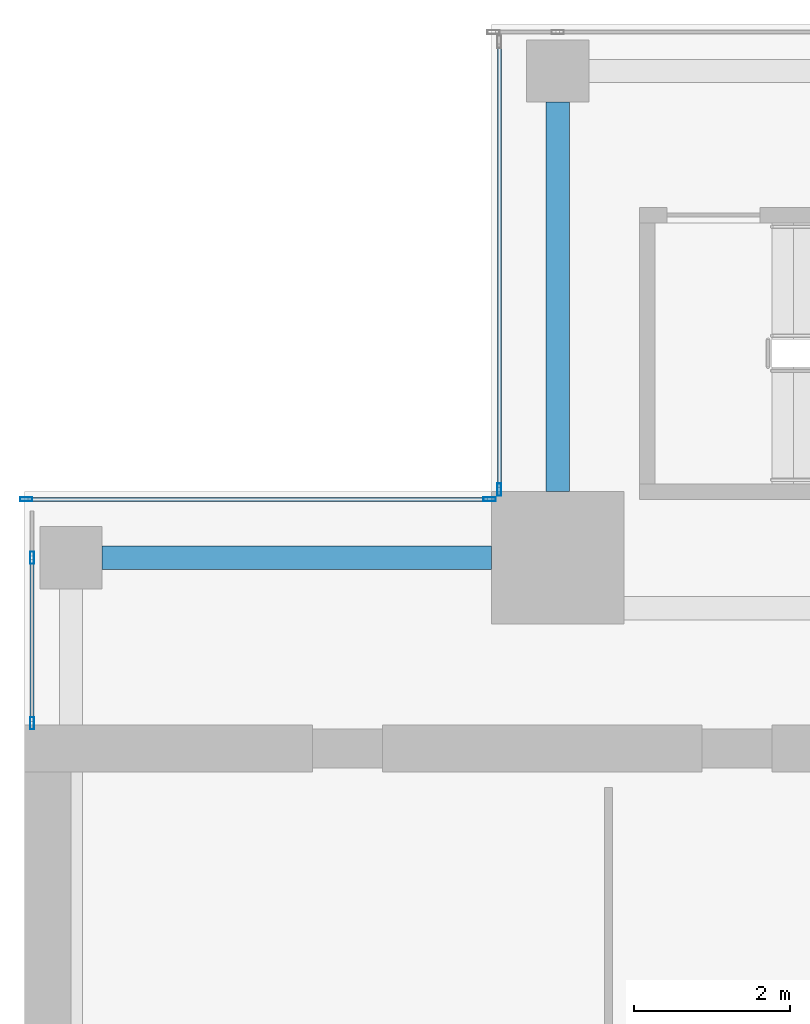
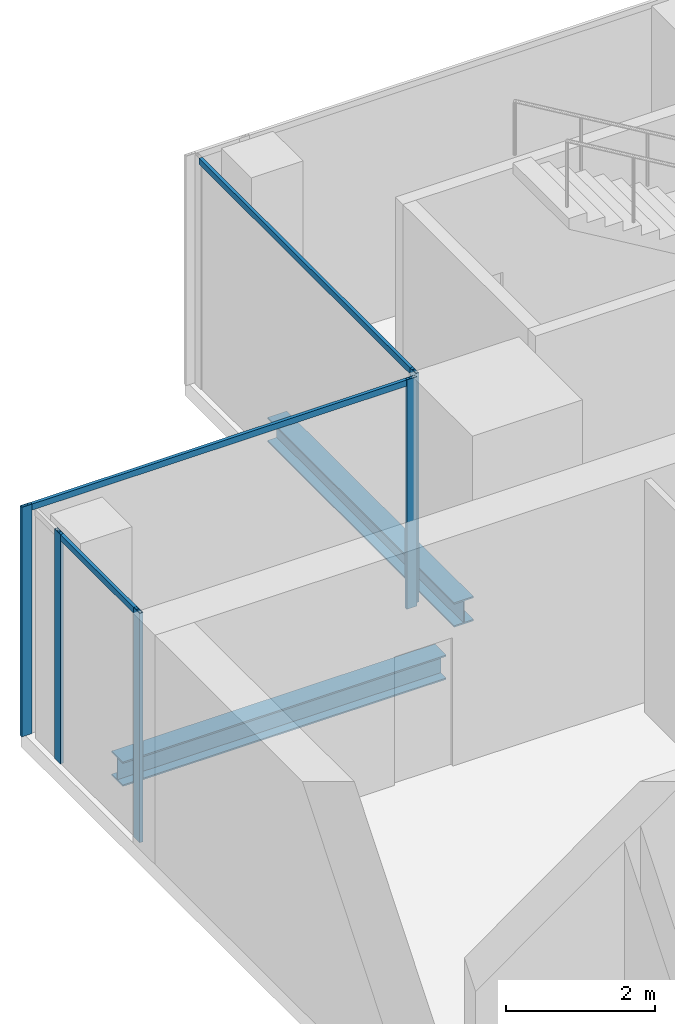
# One storey, part 12 of 28: 8 members, 2 beams, 3 elements without a shape of their own.
"""IFC4 building model written with IfcOpenShell, lengths in metres."""

import ifcopenshell
import ifcopenshell.guid

model = None  # the IFC model being written
_history = None  # IfcOwnerHistory: only IFC2X3 demands one
_inside = {}  # id of a spatial element -> (the spatial element, [elements in it])
_under = {}  # id of a project, library or spatial element -> (it, [spatial elements below it])
_declared = {}  # id of a project -> (the project, [libraries it declares])
_typed = {}  # id of a type object -> (the type object, [elements of that type])
_made_of = {}  # id of a material, layer set ... -> (it, [elements and type objects made of it])


def new_model(schema):
    """Start an empty IFC model of exactly this schema.

    Asked for "IFC4X3", IfcOpenShell would pick the latest addendum, in which some entities
    have other attributes; the version numbers below select the first issue.
    IFC2X3 requires an IfcOwnerHistory on every rooted entity: one is made here for all.
    """
    global model, _history
    if schema == "IFC4X3":
        model = ifcopenshell.file(schema_version=(4, 3, 0, 0))
    else:
        model = ifcopenshell.file(schema=schema)
    _inside.clear()
    _under.clear()
    _declared.clear()
    _typed.clear()
    _made_of.clear()
    _history = None
    if model.schema == "IFC2X3":
        org = make("IfcOrganization", Name="unknown")
        user = make(
            "IfcPersonAndOrganization",
            ThePerson=make("IfcPerson", FamilyName="unknown"),
            TheOrganization=org,
        )
        app = make(
            "IfcApplication",
            ApplicationDeveloper=org,
            Version="unknown",
            ApplicationFullName="unknown",
            ApplicationIdentifier="unknown",
        )
        _history = make(
            "IfcOwnerHistory",
            OwningUser=user,
            OwningApplication=app,
            ChangeAction="ADDED",
            CreationDate=0,
        )
    return model


def make(cls, **values):
    """One entity of the class cls with the attributes given. An attribute that is None is left unset."""
    return model.create_entity(
        cls, **{name: value for name, value in values.items() if value is not None}
    )


def rooted(cls, **values):
    """An entity with a GlobalId (a new one), such as an element, a storey or a relation."""
    return make(cls, GlobalId=ifcopenshell.guid.new(), OwnerHistory=_history, **values)


def si_unit(unit_type, name, prefix=None):
    """IfcSIUnit, for example si_unit("LENGTHUNIT", "METRE", prefix="MILLI")."""
    return make("IfcSIUnit", UnitType=unit_type, Prefix=prefix, Name=name)


def assignment(units):
    """IfcUnitAssignment: the units of a project."""
    return None if units is None else make("IfcUnitAssignment", Units=units)


def point(xyz):
    """IfcCartesianPoint."""
    return None if xyz is None else make("IfcCartesianPoint", Coordinates=xyz)


def direction(xyz):
    """IfcDirection."""
    return None if xyz is None else make("IfcDirection", DirectionRatios=xyz)


def frame(location, z_axis=None, x_axis=None):
    """IfcAxis2Placement3D, a coordinate frame: its origin and axes. An axis left out is left unset."""
    return make(
        "IfcAxis2Placement3D",
        Location=point(location),
        Axis=direction(z_axis),
        RefDirection=direction(x_axis),
    )


def frame_2d(location, x_axis=None):
    """IfcAxis2Placement2D, a coordinate frame in the plane: its origin and x axis."""
    return make(
        "IfcAxis2Placement2D", Location=point(location), RefDirection=direction(x_axis)
    )


def origin():
    """The frame at (0, 0, 0) with its axes left unset."""
    return frame((0.0, 0.0, 0.0))


def origin_2d():
    """The frame at (0, 0) in the plane with its x axis left unset."""
    return frame_2d((0.0, 0.0))


def place(relative_to, where):
    """IfcLocalPlacement: puts the frame where relative to a parent placement (None: the world)."""
    return make(
        "IfcLocalPlacement", PlacementRelTo=relative_to, RelativePlacement=where
    )


def context(
    kind, dimensions, precision=None, world=None, true_north=None, identifier=None
):
    """IfcGeometricRepresentationContext, for example the 3D "Model" context."""
    return make(
        "IfcGeometricRepresentationContext",
        ContextIdentifier=identifier,
        ContextType=kind,
        CoordinateSpaceDimension=dimensions,
        Precision=precision,
        WorldCoordinateSystem=world,
        TrueNorth=true_north,
    )


def subcontext(parent, identifier, kind, view, scale=None):
    """IfcGeometricRepresentationSubContext, for example "Body" below "Model"."""
    return make(
        "IfcGeometricRepresentationSubContext",
        ContextIdentifier=identifier,
        ContextType=kind,
        ParentContext=parent,
        TargetScale=scale,
        TargetView=view,
    )


def project(units=None, contexts=None):
    """IfcProject with its units and contexts."""
    return rooted(
        "IfcProject",
        Name="project",
        RepresentationContexts=contexts,
        UnitsInContext=assignment(units),
    )


def spatial(cls, under=None, at=None, **own):
    """A site, building, storey or space (cls), placed at a placement, below another one or the project."""
    s = rooted(cls, ObjectPlacement=at, **own)
    if under is not None:
        _under.setdefault(under.id(), (under, []))[1].append(s)
    return s


def profile(cls, at=None, kind="AREA", **sizes):
    """A parametric profile (cls). Its sizes go by their IFC names, for example OverallWidth=200.0."""
    return make(cls, ProfileType=kind, Position=at, **sizes)


def hollow_rectangle(**sizes):
    """IfcRectangleHollowProfileDef."""
    return profile("IfcRectangleHollowProfileDef", **sizes)


def i_section(**sizes):
    """IfcIShapeProfileDef."""
    return profile("IfcIShapeProfileDef", **sizes)


def extrude(swept, where, along, depth):
    """IfcExtrudedAreaSolid: the profile swept, set in the frame where, extruded along a direction by depth."""
    return make(
        "IfcExtrudedAreaSolid",
        SweptArea=swept,
        Position=where,
        ExtrudedDirection=direction(along),
        Depth=depth,
    )


def shape(context_of_items, identifier, shape_type, items):
    """IfcShapeRepresentation: the items that make up one representation, for example the "Body"."""
    return make(
        "IfcShapeRepresentation",
        ContextOfItems=context_of_items,
        RepresentationIdentifier=identifier,
        RepresentationType=shape_type,
        Items=items,
    )


def source(mapping_origin, context_of_items, identifier, shape_type, items):
    """IfcRepresentationMap: a shape defined once, which mapped items show again and again."""
    return make(
        "IfcRepresentationMap",
        MappingOrigin=mapping_origin,
        MappedRepresentation=shape(context_of_items, identifier, shape_type, items),
    )


def transform(
    local_origin,
    x_axis=None,
    y_axis=None,
    z_axis=None,
    scale=None,
    scale2=None,
    scale3=None,
    uniform=True,
):
    """IfcCartesianTransformationOperator3D, or its non-uniform kind. x_axis, y_axis, z_axis: its Axis1, 2, 3."""
    if uniform:
        return make(
            "IfcCartesianTransformationOperator3D",
            Axis1=direction(x_axis),
            Axis2=direction(y_axis),
            LocalOrigin=point(local_origin),
            Scale=scale,
            Axis3=direction(z_axis),
        )
    return make(
        "IfcCartesianTransformationOperator3DnonUniform",
        Axis1=direction(x_axis),
        Axis2=direction(y_axis),
        LocalOrigin=point(local_origin),
        Scale=scale,
        Axis3=direction(z_axis),
        Scale2=scale2,
        Scale3=scale3,
    )


def mapped(mapping_source, mapping_target):
    """IfcMappedItem: shows the shape of a source again, moved by a transform."""
    return make(
        "IfcMappedItem", MappingSource=mapping_source, MappingTarget=mapping_target
    )


def material(Name=None, Category=None):
    """IfcMaterial."""
    return make("IfcMaterial", Name=Name, Category=Category)


def material_profile(
    of_material, cross_section, Name=None, Category=None, Priority=None
):
    """IfcMaterialProfile: a cross section and its material."""
    return make(
        "IfcMaterialProfile",
        Name=Name,
        Material=of_material,
        Profile=cross_section,
        Priority=Priority,
        Category=Category,
    )


def profile_set(profiles, Name=None, composite=None):
    """IfcMaterialProfileSet."""
    return make(
        "IfcMaterialProfileSet",
        Name=Name,
        MaterialProfiles=profiles,
        CompositeProfile=composite,
    )


def made_of(thing, what):
    """Note that an element or type object is made of a material, layer set ...; save() writes the relation."""
    if what is not None:
        _made_of.setdefault(what.id(), (what, []))[1].append(thing)
    return thing


def type_object(cls, material=None, **own):
    """A type object (cls), such as IfcWallType, which elements share."""
    return made_of(rooted(cls, **own), material)


def element(
    cls,
    number,
    at=None,
    inside=None,
    cuts=None,
    type_object=None,
    material=None,
    context=None,
    identifier="Body",
    shape_type=None,
    held_by="IfcProductDefinitionShape",
    body=None,
    shapes=None,
    **own,
):
    """One element of the class cls, such as IfcWall. Its Tag is "e" and its number.

    at: its placement. inside: the storey or other place that contains it. cuts: it is an
    opening in that element (IfcRelVoidsElement). A single representation is given by context,
    identifier, shape_type and body (its items); several are given by shapes. held_by: the class
    of the entity that holds the representations. save() writes the other relations.
    """
    e = rooted(cls, Tag="e%d" % number, ObjectPlacement=at, **own)
    if body is not None:
        shapes = [shape(context, identifier, shape_type, body)]
    if shapes is not None:
        e.Representation = make(held_by, Representations=shapes)
    if inside is not None:
        _inside.setdefault(inside.id(), (inside, []))[1].append(e)
    if cuts is not None:
        rooted(
            "IfcRelVoidsElement", RelatingBuildingElement=cuts, RelatedOpeningElement=e
        )
    if type_object is not None:
        _typed.setdefault(type_object.id(), (type_object, []))[1].append(e)
    return made_of(e, material)


def aggregate(whole, parts):
    """IfcRelAggregates: a whole, such as a stair, and the parts it consists of."""
    return rooted("IfcRelAggregates", RelatingObject=whole, RelatedObjects=parts)


def save(model, path):
    """Write the relations noted so far, then the file.

    IfcRelAggregates (storeys below a building ...), IfcRelContainedInSpatialStructure (elements
    in a storey), IfcRelDefinesByType, IfcRelAssociatesMaterial and IfcRelDeclares: one each for
    every whole, place, type object, material and project.
    """
    for whole, parts in _under.values():
        aggregate(whole, parts)
    for where, things in _inside.values():
        rooted(
            "IfcRelContainedInSpatialStructure",
            RelatedElements=things,
            RelatingStructure=where,
        )
    for kind, things in _typed.values():
        rooted("IfcRelDefinesByType", RelatedObjects=things, RelatingType=kind)
    for what, things in _made_of.values():
        rooted("IfcRelAssociatesMaterial", RelatedObjects=things, RelatingMaterial=what)
    for by, libraries in _declared.values():
        rooted("IfcRelDeclares", RelatingContext=by, RelatedDefinitions=libraries)
    model.write(path)


model = new_model("IFC4")

# Units and contexts
model_context = context("Model", 3, precision=1e-05, world=origin(), true_north=direction((0.0, 1.0)))
body_context = subcontext(model_context, "Body", "Model", "MODEL_VIEW")
ifc_project = project(units=[si_unit("LENGTHUNIT", "METRE"), si_unit("AREAUNIT", "SQUARE_METRE"), si_unit("VOLUMEUNIT", "CUBIC_METRE"), si_unit("PLANEANGLEUNIT", "RADIAN"), si_unit("MASSUNIT", "GRAM", prefix="KILO")], contexts=[model_context])

# Site, building, storey
site_placement = place(None, origin())
site = spatial("IfcSite", under=ifc_project, at=site_placement, CompositionType="ELEMENT")
building_placement = place(site_placement, origin())
building = spatial("IfcBuilding", under=site, at=building_placement, Name="Khomas Fold Tower", CompositionType="ELEMENT")
storey_placement = place(building_placement, frame((0.0, 0.0, 302.199951171875)))
storey = spatial("IfcBuildingStorey", under=building, at=storey_placement, Name="L68", CompositionType="ELEMENT", Elevation=302.199951171875)

# Beams
ifc_material_1 = material(Name="Steel S355", Category="steel")
ifc_material_profile_1 = material_profile(ifc_material_1, i_section(OverallWidth=0.300048828125, OverallDepth=0.39990234375, WebThickness=0.013427734375, FlangeThickness=0.02392578125, at=origin_2d()), Name="HE 400 B")
ifc_profile_set_1 = profile_set([ifc_material_profile_1], Name="Steel S355")
beam_type = type_object("IfcBeamType", Name="HE 400 B spandrel SB5", PredefinedType="SPANDREL", material=ifc_profile_set_1)
shared_shape_1 = source(origin(), body_context, "Body", "SweptSolid", [
    extrude(i_section(OverallWidth=0.300048828125, OverallDepth=0.39990234375, WebThickness=0.013427734375, FlangeThickness=0.02392578125, at=origin_2d()), origin(), (0.0, 0.0, 1.0), 5.0),
])
for number, where, z_axis, x_axis, name in (
    (1, (12.85009765625, 42.0, -0.449951171875), (0.0, 1.0, 0.0), (-1.0, 0.0, 0.0), "SB5"),
    (2, (7.0, 41.14990234375, -0.449951171875), (1.0, 0.0, 0.0), (0.0, 1.0, 0.0), "SB5"),
):
    element("IfcBeam", number, at=place(storey_placement, frame(where, z_axis=z_axis, x_axis=x_axis)), inside=storey, type_object=beam_type, Name=name, PredefinedType="SPANDREL", context=body_context, shape_type="MappedRepresentation", body=[
        mapped(shared_shape_1, transform((0.0, 0.0, 0.0))),
    ])

# Curtain wall, member
ifc_material_2 = material(Name="Aluminium framed double glazing", Category="aluminium")
curtain_wall_type = type_object("IfcCurtainWallType", Name="SK-Unitised clear-glass wall, upper floors CW3", PredefinedType="NOTDEFINED", material=ifc_material_2)
curtain_wall_1_placement = place(storey_placement, origin())
curtain_wall_1 = element("IfcCurtainWall", 3, at=curtain_wall_1_placement, inside=storey, type_object=curtain_wall_type, Name="CW3 corner return L68 07", PredefinedType="NOTDEFINED")
ifc_material_3 = material(Name="Aluminium", Category="aluminium")
ifc_material_profile_2 = material_profile(ifc_material_3, hollow_rectangle(XDim=0.050048828125, YDim=0.159912109375, WallThickness=0.00390625, at=origin_2d()), Name="SK-Unitised clear-glass wall, upper floors mullion CW3-M")
ifc_profile_set_2 = profile_set([ifc_material_profile_2], Name="Aluminium")
member_type_1 = type_object("IfcMemberType", Name="SK-Unitised clear-glass wall, upper floors mullion CW3-M", PredefinedType="MULLION", material=ifc_profile_set_2)
shared_shape_2 = source(origin(), body_context, "Body", "SweptSolid", [
    extrude(hollow_rectangle(XDim=0.050048828125, YDim=0.159912109375, WallThickness=0.00390625, at=origin_2d()), origin(), (0.0, 0.0, 1.0), 3.75),
])
member_1_placement = place(storey_placement, frame((12.10009765625, 42.02490234375, 0.0), z_axis=(0.0, 0.0, 1.0), x_axis=(1.0, 0.0, 0.0)))
member_1 = element("IfcMember", 4, at=member_1_placement, type_object=member_type_1, Name="CW3 mullion 2", PredefinedType="MULLION", context=body_context, shape_type="MappedRepresentation", body=[
    mapped(shared_shape_2, transform((0.0, 0.0, 0.0))),
])

# Curtain wall, members
curtain_wall_2_placement = place(storey_placement, origin())
curtain_wall_2 = element("IfcCurtainWall", 5, at=curtain_wall_2_placement, inside=storey, type_object=curtain_wall_type, Name="CW3 corner return L68 08", PredefinedType="NOTDEFINED")
member_2_placement = place(storey_placement, frame((11.97509765625, 41.89990234375, 0.0), z_axis=(0.0, 0.0, 1.0), x_axis=(0.0, -1.0, 0.0)))
member_2 = element("IfcMember", 6, at=member_2_placement, type_object=member_type_1, Name="CW3 mullion 1", PredefinedType="MULLION", context=body_context, shape_type="MappedRepresentation", body=[
    mapped(shared_shape_2, transform((0.0, 0.0, 0.0))),
])
member_3_placement = place(storey_placement, frame((6.02490234375, 41.89990234375, 0.0), z_axis=(0.0, 0.0, 1.0), x_axis=(0.0, -1.0, 0.0)))
member_3 = element("IfcMember", 7, at=member_3_placement, type_object=member_type_1, Name="CW3 mullion 2", PredefinedType="MULLION", context=body_context, shape_type="MappedRepresentation", body=[
    mapped(shared_shape_2, transform((0.0, 0.0, 0.0))),
])

curtain_wall_3_placement = place(storey_placement, origin())
curtain_wall_3 = element("IfcCurtainWall", 8, at=curtain_wall_3_placement, inside=storey, type_object=curtain_wall_type, Name="CW3 run L68 09-0", PredefinedType="NOTDEFINED")
member_4_placement = place(storey_placement, frame((6.10009765625, 41.14990234375, 0.0), z_axis=(0.0, 0.0, 1.0), x_axis=(1.0, 0.0, 0.0)))
member_4 = element("IfcMember", 9, at=member_4_placement, type_object=member_type_1, Name="CW3 mullion 2", PredefinedType="MULLION", context=body_context, shape_type="MappedRepresentation", body=[
    mapped(shared_shape_2, transform((0.0, 0.0, 0.0))),
])
member_5_placement = place(storey_placement, frame((6.10009765625, 39.02490234375, 0.0), z_axis=(0.0, 0.0, 1.0), x_axis=(1.0, 0.0, 0.0)))
member_5 = element("IfcMember", 10, at=member_5_placement, type_object=member_type_1, Name="CW3 mullion 3", PredefinedType="MULLION", context=body_context, shape_type="MappedRepresentation", body=[
    mapped(shared_shape_2, transform((0.0, 0.0, 0.0))),
])

# Member
ifc_material_4 = material(Name="Aluminium", Category="aluminium")
ifc_material_profile_3 = material_profile(ifc_material_4, hollow_rectangle(XDim=0.050048828125, YDim=0.10009765625, WallThickness=0.00390625, at=origin_2d()), Name="SK-Unitised clear-glass wall, upper floors transom CW3-T")
ifc_profile_set_3 = profile_set([ifc_material_profile_3], Name="Aluminium")
member_type_2 = type_object("IfcMemberType", Name="SK-Unitised clear-glass wall, upper floors transom CW3-T", PredefinedType="USERDEFINED", material=ifc_profile_set_3)
shared_shape_3 = source(origin(), body_context, "Body", "SweptSolid", [
    extrude(hollow_rectangle(XDim=0.050048828125, YDim=0.10009765625, WallThickness=0.00390625, at=origin_2d()), origin(), (0.0, 0.0, 1.0), 5.699951171875),
])
member_6_placement = place(storey_placement, frame((12.10009765625, 47.75, 3.699951171875), z_axis=(0.0, -1.0, 0.0), x_axis=(1.0, 0.0, 0.0)))
member_6 = element("IfcMember", 11, at=member_6_placement, type_object=member_type_2, Name="CW3 transom 1", ObjectType="TRANSOM", PredefinedType="USERDEFINED", context=body_context, shape_type="MappedRepresentation", body=[
    mapped(shared_shape_3, transform((0.0, 0.0, 0.0))),
])

aggregate(curtain_wall_1, [member_1, member_6])

shared_shape_4 = source(origin(), body_context, "Body", "SweptSolid", [
    extrude(hollow_rectangle(XDim=0.050048828125, YDim=0.10009765625, WallThickness=0.00390625, at=origin_2d()), origin(), (0.0, 0.0, 1.0), 5.89990234375),
])
member_7_placement = place(storey_placement, frame((11.949951171875, 41.89990234375, 3.699951171875), z_axis=(-1.0, 0.0, 0.0), x_axis=(0.0, -1.0, 0.0)))
member_7 = element("IfcMember", 12, at=member_7_placement, type_object=member_type_2, Name="CW3 transom 1", ObjectType="TRANSOM", PredefinedType="USERDEFINED", context=body_context, shape_type="MappedRepresentation", body=[
    mapped(shared_shape_4, transform((0.0, 0.0, 0.0))),
])

aggregate(curtain_wall_2, [member_2, member_3, member_7])

shared_shape_5 = source(origin(), body_context, "Body", "SweptSolid", [
    extrude(hollow_rectangle(XDim=0.050048828125, YDim=0.10009765625, WallThickness=0.00390625, at=origin_2d()), origin(), (0.0, 0.0, 1.0), 2.074951171875),
])
member_8_placement = place(storey_placement, frame((6.10009765625, 41.125, 3.699951171875), z_axis=(0.0, -1.0, 0.0), x_axis=(1.0, 0.0, 0.0)))
member_8 = element("IfcMember", 13, at=member_8_placement, type_object=member_type_2, Name="CW3 transom 2", ObjectType="TRANSOM", PredefinedType="USERDEFINED", context=body_context, shape_type="MappedRepresentation", body=[
    mapped(shared_shape_5, transform((0.0, 0.0, 0.0))),
])

aggregate(curtain_wall_3, [member_4, member_5, member_8])

save(model, "model.ifc")
